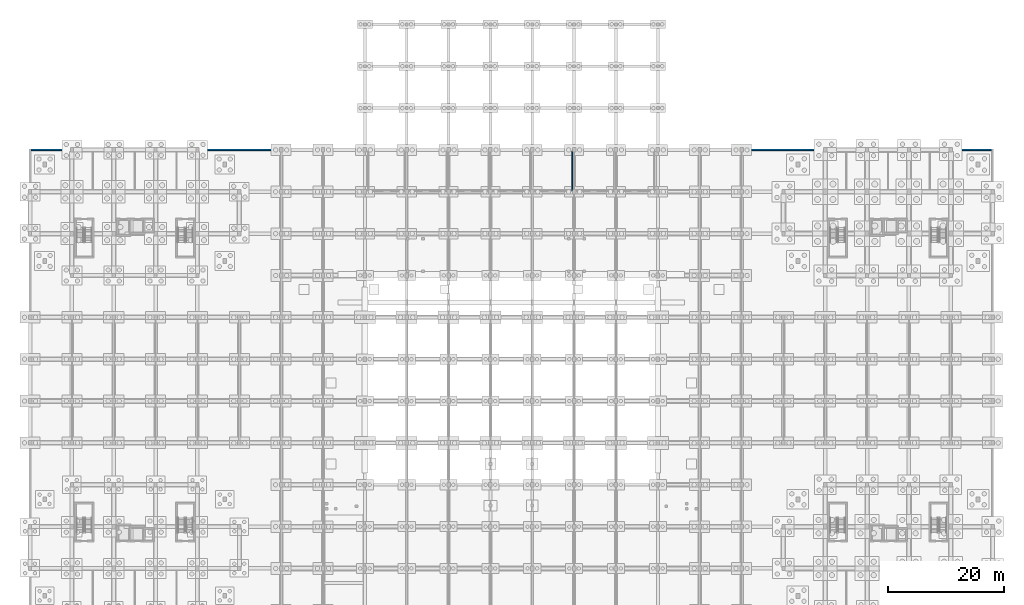
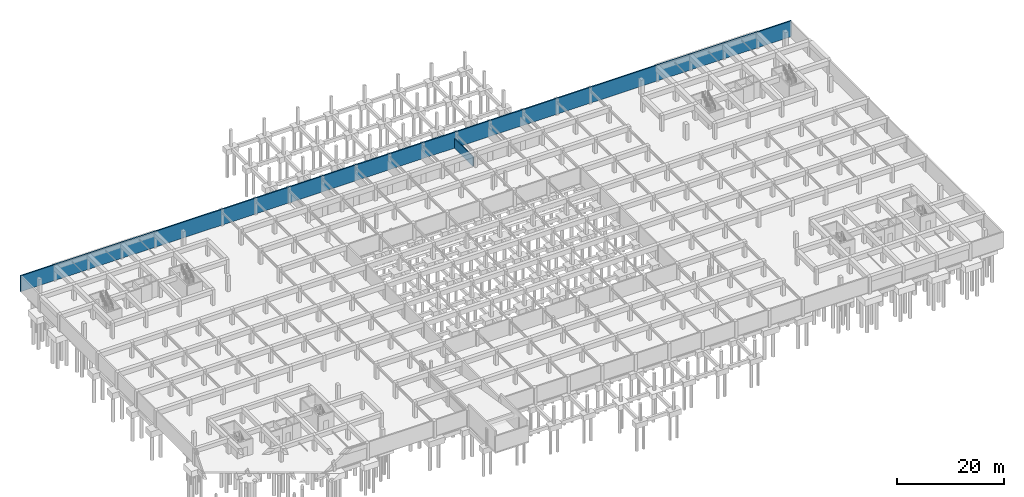
# One storey, part 28 of 36: 2 walls.
"""IFC4 building model written with IfcOpenShell, lengths in metres."""

from ifc_helpers import new_model, si_unit, direction, frame, frame_2d, origin, place, context, subcontext, project, spatial, rectangle, extrude, material, layer, layer_set, type_object, element, save


model = new_model("IFC4")

# Units and contexts
model_context = context("Model", 3, precision=1e-05, world=origin(), true_north=direction((0.0, 1.0)))
body_context = subcontext(model_context, "Body", "Model", "MODEL_VIEW")
ifc_project = project(units=[si_unit("LENGTHUNIT", "METRE"), si_unit("AREAUNIT", "SQUARE_METRE"), si_unit("VOLUMEUNIT", "CUBIC_METRE"), si_unit("PLANEANGLEUNIT", "RADIAN"), si_unit("MASSUNIT", "GRAM", prefix="KILO")], contexts=[model_context])

# Site, building, storey
site_placement = place(None, origin())
site = spatial("IfcSite", under=ifc_project, at=site_placement, CompositionType="ELEMENT")
building_placement = place(site_placement, origin())
building = spatial("IfcBuilding", under=site, at=building_placement, Name="Ochrevale Crest", CompositionType="ELEMENT")
storey_placement = place(building_placement, frame((0.0, 0.0, -3.60009765625)))
storey = spatial("IfcBuildingStorey", under=building, at=storey_placement, Name="B1", CompositionType="ELEMENT", Elevation=-3.60009765625)

# Walls
ifc_material_1 = material(Name="Core-filled masonry blockwork", Category="masonry")
ifc_layer_1 = layer(ifc_material_1, 0.195068359375)
ifc_layer_set_1 = layer_set([ifc_layer_1], Name="Core-filled masonry blockwork")
wall_type_1 = type_object("IfcWallType", Name="WL-PLNT-195", PredefinedType="PARTITIONING", material=ifc_layer_set_1)
wall_1_placement = place(storey_placement, frame((93.300048828125, 86.60009765625, 0.0), z_axis=(0.0, 0.0, 1.0), x_axis=(0.0, 1.0, 0.0)))
element("IfcWall", 1, at=wall_1_placement, inside=storey, type_object=wall_type_1, Name="B1 plant divider wall 5", PredefinedType="PARTITIONING", context=body_context, shape_type="SweptSolid", body=[
    extrude(rectangle(XDim=6.7998046875, YDim=0.195068359375, at=frame_2d((3.39990234375, 0.0))), origin(), (0.0, 0.0, 1.0), 2.2001953125),
])
ifc_material_2 = material(Name="Concrete C40/50", Category="concrete")
ifc_layer_2 = layer(ifc_material_2, 0.284912109375)
ifc_layer_set_2 = layer_set([ifc_layer_2], Name="Concrete C40/50")
wall_type_2 = type_object("IfcWallType", Name="WL-RET-285", PredefinedType="USERDEFINED", material=ifc_layer_set_2)
wall_2_placement = place(storey_placement, frame((-0.142578125, 93.60009765625, 0.0), z_axis=(0.0, 0.0, 1.0), x_axis=(1.0, 0.0, 0.0)))
element("IfcWall", 2, at=wall_2_placement, inside=storey, type_object=wall_type_2, Name="B1 Concrete C40/50 retaining wall N", ObjectType="RETAININGWALL", PredefinedType="USERDEFINED", context=body_context, shape_type="SweptSolid", body=[
    extrude(rectangle(XDim=165.885009765625, YDim=0.284912109375, at=frame_2d((82.9423828125, 0.0))), origin(), (0.0, 0.0, 1.0), 3.60009765625),
])

save(model, "model.ifc")
